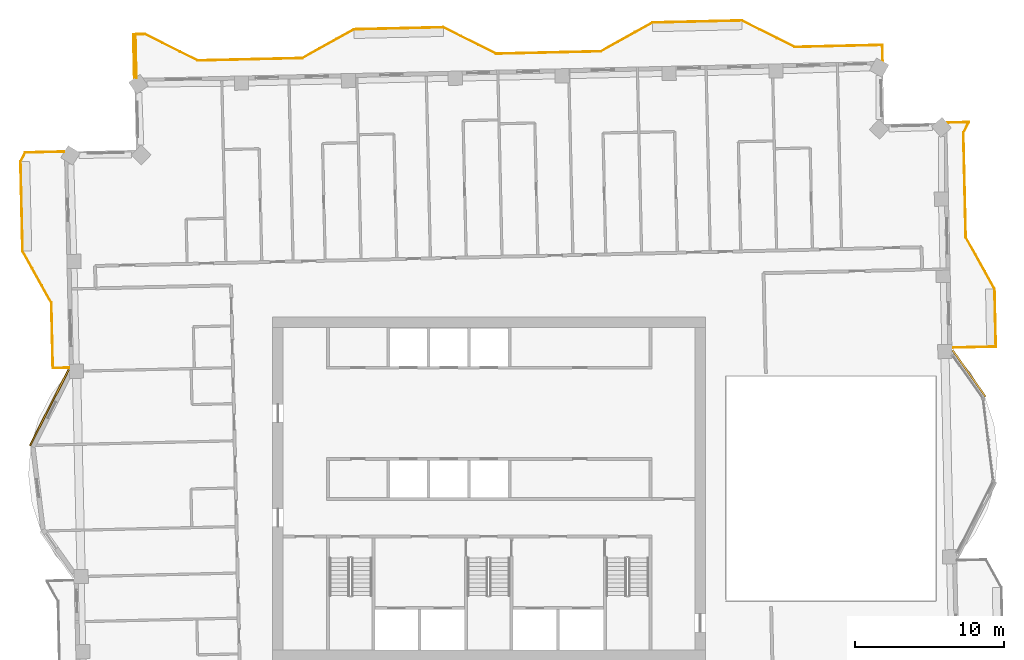
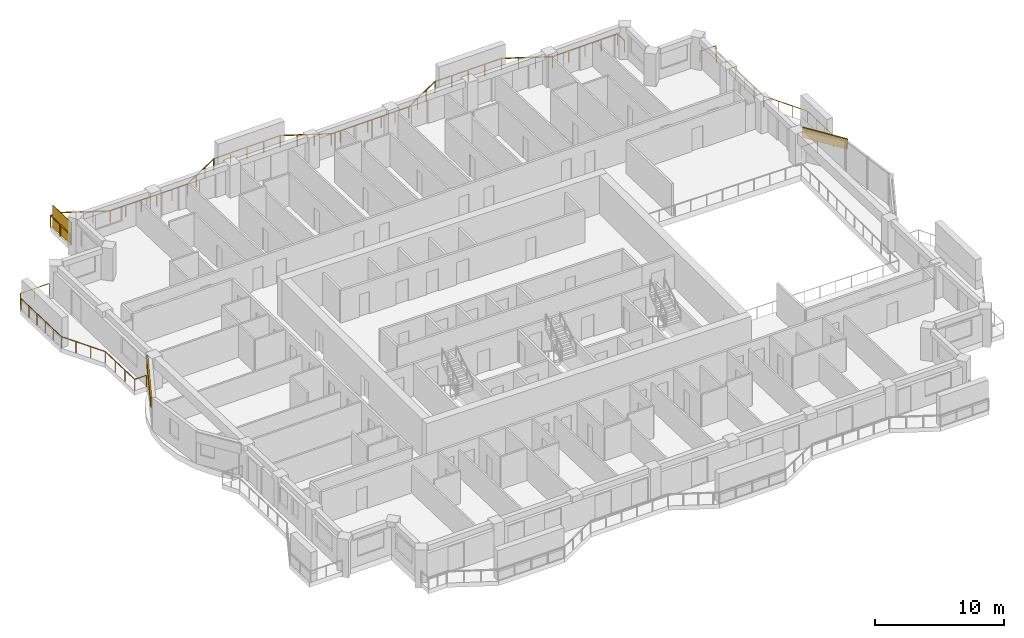
# One storey, part 18 of 18: 3 railings, 2 coverings, 1 shading device.
"""IFC4 building model written with IfcOpenShell, lengths in metres."""

from ifc_helpers import new_model, si_unit, direction, frame, frame_2d, origin, origin_2d, place, context, subcontext, project, spatial, rectangle, extrude, material, layer, layer_set, type_object, element, save


model = new_model("IFC4")

# Units and contexts
model_context = context("Model", 3, precision=1e-05, world=origin(), true_north=direction((0.0, 1.0)))
body_context = subcontext(model_context, "Body", "Model", "MODEL_VIEW")
ifc_project = project(units=[si_unit("LENGTHUNIT", "METRE"), si_unit("AREAUNIT", "SQUARE_METRE"), si_unit("VOLUMEUNIT", "CUBIC_METRE"), si_unit("PLANEANGLEUNIT", "RADIAN"), si_unit("MASSUNIT", "GRAM", prefix="KILO")], contexts=[model_context])

# Site, building, storey
site_placement = place(None, origin())
site = spatial("IfcSite", under=ifc_project, at=site_placement, CompositionType="ELEMENT")
building_placement = place(site_placement, origin())
building = spatial("IfcBuilding", under=site, at=building_placement, Name="Mangrove Gate Tower", CompositionType="ELEMENT")
storey_placement = place(building_placement, frame((0.0, 0.0, 287.10009765625)))
storey = spatial("IfcBuildingStorey", under=building, at=storey_placement, Name="L73", CompositionType="ELEMENT", Elevation=287.10009765625)

# Railings
ifc_material_1 = material(Name="Stainless steel grade 316 with laminated glass infill", Category="steel")
railing_type = type_object("IfcRailingType", Name="Balcony guard 1100", PredefinedType="GUARDRAIL", material=ifc_material_1)
railing_1_placement = place(storey_placement, frame((31.0390625, 9.445068359375, 0.0)))
element("IfcRailing", 1, at=railing_1_placement, inside=storey, type_object=railing_type, Name="GUARD L73 E2", PredefinedType="GUARDRAIL", context=body_context, shape_type="SweptSolid", body=[
    extrude(rectangle(XDim=0.048095703125, YDim=0.048095703125, at=origin_2d()), frame((0.0, 0.0, 1.076171875), z_axis=(0.999743349437, 0.022654696127, 0.0), x_axis=(-0.022654696127, 0.999743349437, 0.0)), (0.0, 0.0, 1.0), 2.90966796875),
    extrude(rectangle(XDim=0.048095703125, YDim=0.048095703125, at=origin_2d()), frame((2.908935546875, 0.06591796875, 1.076171875), z_axis=(-0.022681332769, 0.999742745482, 0.0), x_axis=(-0.999742745482, -0.022681332769, 0.0)), (0.0, 0.0, 1.0), 3.875),
    extrude(rectangle(XDim=0.048095703125, YDim=0.048095703125, at=origin_2d()), frame((2.821044921875, 3.93994140625, 1.076171875), z_axis=(-0.487307108654, 0.873230657876, 0.0), x_axis=(-0.873230657876, -0.487307108654, 0.0)), (0.0, 0.0, 1.0), 3.958984375),
    extrude(rectangle(XDim=0.048095703125, YDim=0.048095703125, at=origin_2d()), frame((0.891845703125, 7.39697265625, 1.076171875), z_axis=(-0.022705559911, 0.999742195543, 0.0), x_axis=(-0.999742195543, -0.022705559911, 0.0)), (0.0, 0.0, 1.0), 6.999755859375),
    extrude(rectangle(XDim=0.048095703125, YDim=0.048095703125, at=origin_2d()), frame((0.73291015625, 14.39501953125, 1.076171875), z_axis=(0.4472135955, 0.894427191, 0.0), x_axis=(-0.894427191, 0.4472135955, 0.0)), (0.0, 0.0, 1.0), 0.79150390625),
    extrude(rectangle(XDim=0.048095703125, YDim=0.048095703125, at=origin_2d()), frame((1.0869140625, 15.10302734375, 1.076171875), z_axis=(-0.999749624161, -0.022376080773, 0.0), x_axis=(0.022376080773, -0.999749624161, 0.0)), (0.0, 0.0, 1.0), 1.42919921875),
    extrude(rectangle(XDim=0.0419921875, YDim=0.0419921875, at=origin_2d()), origin(), (0.0, 0.0, 1.0), 1.052001953125),
    extrude(rectangle(XDim=0.0419921875, YDim=0.0419921875, at=origin_2d()), frame((1.45458984375, 0.032958984375, 0.0)), (0.0, 0.0, 1.0), 1.052001953125),
    extrude(rectangle(XDim=0.0419921875, YDim=0.0419921875, at=origin_2d()), frame((2.908935546875, 0.06591796875, 0.0)), (0.0, 0.0, 1.0), 1.052001953125),
    extrude(rectangle(XDim=0.0419921875, YDim=0.0419921875, at=origin_2d()), frame((2.879638671875, 1.357177734375, 0.0)), (0.0, 0.0, 1.0), 1.052001953125),
    extrude(rectangle(XDim=0.0419921875, YDim=0.0419921875, at=origin_2d()), frame((2.850341796875, 2.648681640625, 0.0)), (0.0, 0.0, 1.0), 1.052001953125),
    extrude(rectangle(XDim=0.0419921875, YDim=0.0419921875, at=origin_2d()), frame((2.821044921875, 3.93994140625, 0.0)), (0.0, 0.0, 1.0), 1.052001953125),
    extrude(rectangle(XDim=0.0419921875, YDim=0.0419921875, at=origin_2d()), frame((2.177978515625, 5.09228515625, 0.0)), (0.0, 0.0, 1.0), 1.052001953125),
    extrude(rectangle(XDim=0.0419921875, YDim=0.0419921875, at=origin_2d()), frame((1.534912109375, 6.24462890625, 0.0)), (0.0, 0.0, 1.0), 1.052001953125),
    extrude(rectangle(XDim=0.0419921875, YDim=0.0419921875, at=origin_2d()), frame((0.891845703125, 7.39697265625, 0.0)), (0.0, 0.0, 1.0), 1.052001953125),
    extrude(rectangle(XDim=0.0419921875, YDim=0.0419921875, at=origin_2d()), frame((0.860107421875, 8.796630859375, 0.0)), (0.0, 0.0, 1.0), 1.052001953125),
    extrude(rectangle(XDim=0.0419921875, YDim=0.0419921875, at=origin_2d()), frame((0.828369140625, 10.1962890625, 0.0)), (0.0, 0.0, 1.0), 1.052001953125),
    extrude(rectangle(XDim=0.0419921875, YDim=0.0419921875, at=origin_2d()), frame((0.79638671875, 11.595703125, 0.0)), (0.0, 0.0, 1.0), 1.052001953125),
    extrude(rectangle(XDim=0.0419921875, YDim=0.0419921875, at=origin_2d()), frame((0.7646484375, 12.995361328125, 0.0)), (0.0, 0.0, 1.0), 1.052001953125),
    extrude(rectangle(XDim=0.0419921875, YDim=0.0419921875, at=origin_2d()), frame((0.73291015625, 14.39501953125, 0.0)), (0.0, 0.0, 1.0), 1.052001953125),
    extrude(rectangle(XDim=0.0419921875, YDim=0.0419921875, at=origin_2d()), frame((1.0869140625, 15.10302734375, 0.0)), (0.0, 0.0, 1.0), 1.052001953125),
    extrude(rectangle(XDim=0.0419921875, YDim=0.0419921875, at=origin_2d()), frame((-0.342041015625, 15.071044921875, 0.0)), (0.0, 0.0, 1.0), 1.052001953125),
])
railing_2_placement = place(storey_placement, frame((26.362060546875, 28.658935546875, 0.0)))
element("IfcRailing", 2, at=railing_2_placement, inside=storey, type_object=railing_type, Name="GUARD L73 N1", PredefinedType="GUARDRAIL", context=body_context, shape_type="SweptSolid", body=[
    extrude(rectangle(XDim=0.048095703125, YDim=0.048095703125, at=origin_2d()), frame((0.0, 0.0, 1.076171875), z_axis=(-0.022815636067, 0.999739689495, 0.0), x_axis=(-0.999739689495, -0.022815636067, 0.0)), (0.0, 0.0, 1.0), 1.059326171875),
    extrude(rectangle(XDim=0.048095703125, YDim=0.048095703125, at=origin_2d()), frame((-0.024169921875, 1.05908203125, 1.076171875), z_axis=(-0.999742929744, -0.022673209467, 0.0), x_axis=(0.022673209467, -0.999742929744, 0.0)), (0.0, 0.0, 1.0), 5.868408203125),
    extrude(rectangle(XDim=0.048095703125, YDim=0.048095703125, at=origin_2d()), frame((-5.89111328125, 0.926025390625, 1.076171875), z_axis=(-0.894476522376, 0.447114919141, 0.0), x_axis=(-0.447114919141, -0.894476522376, 0.0)), (0.0, 0.0, 1.0), 3.958740234375),
    extrude(rectangle(XDim=0.048095703125, YDim=0.048095703125, at=origin_2d()), frame((-9.43212890625, 2.696044921875, 1.076171875), z_axis=(-0.999743094499, -0.022665943652, 0.0), x_axis=(0.022665943652, -0.999743094499, 0.0)), (0.0, 0.0, 1.0), 5.99951171875),
    extrude(rectangle(XDim=0.048095703125, YDim=0.048095703125, at=origin_2d()), frame((-15.43017578125, 2.56005859375, 1.076171875), z_axis=(-0.873242256246, -0.487286324359, 0.0), x_axis=(0.487286324359, -0.873242256246, 0.0)), (0.0, 0.0, 1.0), 3.95849609375),
    extrude(rectangle(XDim=0.048095703125, YDim=0.048095703125, at=origin_2d()), frame((-18.886962890625, 0.631103515625, 1.076171875), z_axis=(-0.999744592549, -0.022599771429, 0.0), x_axis=(0.022599771429, -0.999744592549, 0.0)), (0.0, 0.0, 1.0), 6.20068359375),
    extrude(rectangle(XDim=0.048095703125, YDim=0.048095703125, at=origin_2d()), frame((-25.086181640625, 0.490966796875, 1.076171875), z_axis=(-0.999751820308, -0.022277742028, 0.0), x_axis=(0.022277742028, -0.999751820308, 0.0)), (0.0, 0.0, 1.0), 0.800048828125),
    extrude(rectangle(XDim=0.048095703125, YDim=0.048095703125, at=origin_2d()), frame((-25.885986328125, 0.47314453125, 1.076171875), z_axis=(-0.894476522376, 0.447114919141, 0.0), x_axis=(-0.447114919141, -0.894476522376, 0.0)), (0.0, 0.0, 1.0), 3.958740234375),
    extrude(rectangle(XDim=0.048095703125, YDim=0.048095703125, at=origin_2d()), frame((-29.427001953125, 2.2431640625, 1.076171875), z_axis=(-0.999743094499, -0.022665943652, 0.0), x_axis=(0.022665943652, -0.999743094499, 0.0)), (0.0, 0.0, 1.0), 5.99951171875),
    extrude(rectangle(XDim=0.048095703125, YDim=0.048095703125, at=origin_2d()), frame((-35.425048828125, 2.107177734375, 1.076171875), z_axis=(-0.873230657876, -0.487307108654, 0.0), x_axis=(0.487307108654, -0.873230657876, 0.0)), (0.0, 0.0, 1.0), 3.958984375),
    extrude(rectangle(XDim=0.048095703125, YDim=0.048095703125, at=origin_2d()), frame((-38.882080078125, 0.177978515625, 1.076171875), z_axis=(-0.999742267452, -0.022702393474, 0.0), x_axis=(0.022702393474, -0.999742267452, 0.0)), (0.0, 0.0, 1.0), 7.000732421875),
    extrude(rectangle(XDim=0.048095703125, YDim=0.048095703125, at=origin_2d()), frame((-45.881103515625, 0.01904296875, 1.076171875), z_axis=(-0.894476522376, 0.447114919141, 0.0), x_axis=(-0.447114919141, -0.894476522376, 0.0)), (0.0, 0.0, 1.0), 3.958740234375),
    extrude(rectangle(XDim=0.048095703125, YDim=0.048095703125, at=origin_2d()), frame((-49.422119140625, 1.7890625, 1.076171875), z_axis=(-0.999751761879, -0.022280364002, 0.0), x_axis=(0.022280364002, -0.999751761879, 0.0)), (0.0, 0.0, 1.0), 0.76708984375),
    extrude(rectangle(XDim=0.048095703125, YDim=0.048095703125, at=origin_2d()), frame((-50.18896484375, 1.77197265625, 1.076171875), z_axis=(0.02231175287, -0.999751061857, 0.0), x_axis=(0.999751061857, 0.02231175287, 0.0)), (0.0, 0.0, 1.0), 2.91064453125),
    extrude(rectangle(XDim=0.0419921875, YDim=0.0419921875, at=origin_2d()), origin(), (0.0, 0.0, 1.0), 1.052001953125),
    extrude(rectangle(XDim=0.0419921875, YDim=0.0419921875, at=origin_2d()), frame((-0.024169921875, 1.05908203125, 0.0)), (0.0, 0.0, 1.0), 1.052001953125),
    extrude(rectangle(XDim=0.0419921875, YDim=0.0419921875, at=origin_2d()), frame((-1.490966796875, 1.02587890625, 0.0)), (0.0, 0.0, 1.0), 1.052001953125),
    extrude(rectangle(XDim=0.0419921875, YDim=0.0419921875, at=origin_2d()), frame((-2.95751953125, 0.99267578125, 0.0)), (0.0, 0.0, 1.0), 1.052001953125),
    extrude(rectangle(XDim=0.0419921875, YDim=0.0419921875, at=origin_2d()), frame((-4.42431640625, 0.959228515625, 0.0)), (0.0, 0.0, 1.0), 1.052001953125),
    extrude(rectangle(XDim=0.0419921875, YDim=0.0419921875, at=origin_2d()), frame((-5.89111328125, 0.926025390625, 0.0)), (0.0, 0.0, 1.0), 1.052001953125),
    extrude(rectangle(XDim=0.0419921875, YDim=0.0419921875, at=origin_2d()), frame((-7.071533203125, 1.51611328125, 0.0)), (0.0, 0.0, 1.0), 1.052001953125),
    extrude(rectangle(XDim=0.0419921875, YDim=0.0419921875, at=origin_2d()), frame((-8.251708984375, 2.10595703125, 0.0)), (0.0, 0.0, 1.0), 1.052001953125),
    extrude(rectangle(XDim=0.0419921875, YDim=0.0419921875, at=origin_2d()), frame((-9.43212890625, 2.696044921875, 0.0)), (0.0, 0.0, 1.0), 1.052001953125),
    extrude(rectangle(XDim=0.0419921875, YDim=0.0419921875, at=origin_2d()), frame((-10.931640625, 2.662109375, 0.0)), (0.0, 0.0, 1.0), 1.052001953125),
    extrude(rectangle(XDim=0.0419921875, YDim=0.0419921875, at=origin_2d()), frame((-12.43115234375, 2.6279296875, 0.0)), (0.0, 0.0, 1.0), 1.052001953125),
    extrude(rectangle(XDim=0.0419921875, YDim=0.0419921875, at=origin_2d()), frame((-13.9306640625, 2.593994140625, 0.0)), (0.0, 0.0, 1.0), 1.052001953125),
    extrude(rectangle(XDim=0.0419921875, YDim=0.0419921875, at=origin_2d()), frame((-15.43017578125, 2.56005859375, 0.0)), (0.0, 0.0, 1.0), 1.052001953125),
    extrude(rectangle(XDim=0.0419921875, YDim=0.0419921875, at=origin_2d()), frame((-16.58251953125, 1.9169921875, 0.0)), (0.0, 0.0, 1.0), 1.052001953125),
    extrude(rectangle(XDim=0.0419921875, YDim=0.0419921875, at=origin_2d()), frame((-17.734619140625, 1.274169921875, 0.0)), (0.0, 0.0, 1.0), 1.052001953125),
    extrude(rectangle(XDim=0.0419921875, YDim=0.0419921875, at=origin_2d()), frame((-18.886962890625, 0.631103515625, 0.0)), (0.0, 0.0, 1.0), 1.052001953125),
    extrude(rectangle(XDim=0.0419921875, YDim=0.0419921875, at=origin_2d()), frame((-20.126708984375, 0.60302734375, 0.0)), (0.0, 0.0, 1.0), 1.052001953125),
    extrude(rectangle(XDim=0.0419921875, YDim=0.0419921875, at=origin_2d()), frame((-21.36669921875, 0.574951171875, 0.0)), (0.0, 0.0, 1.0), 1.052001953125),
    extrude(rectangle(XDim=0.0419921875, YDim=0.0419921875, at=origin_2d()), frame((-22.6064453125, 0.547119140625, 0.0)), (0.0, 0.0, 1.0), 1.052001953125),
    extrude(rectangle(XDim=0.0419921875, YDim=0.0419921875, at=origin_2d()), frame((-23.846435546875, 0.51904296875, 0.0)), (0.0, 0.0, 1.0), 1.052001953125),
    extrude(rectangle(XDim=0.0419921875, YDim=0.0419921875, at=origin_2d()), frame((-25.086181640625, 0.490966796875, 0.0)), (0.0, 0.0, 1.0), 1.052001953125),
    extrude(rectangle(XDim=0.0419921875, YDim=0.0419921875, at=origin_2d()), frame((-25.885986328125, 0.47314453125, 0.0)), (0.0, 0.0, 1.0), 1.052001953125),
    extrude(rectangle(XDim=0.0419921875, YDim=0.0419921875, at=origin_2d()), frame((-27.06640625, 1.063232421875, 0.0)), (0.0, 0.0, 1.0), 1.052001953125),
    extrude(rectangle(XDim=0.0419921875, YDim=0.0419921875, at=origin_2d()), frame((-28.24658203125, 1.653076171875, 0.0)), (0.0, 0.0, 1.0), 1.052001953125),
    extrude(rectangle(XDim=0.0419921875, YDim=0.0419921875, at=origin_2d()), frame((-29.427001953125, 2.2431640625, 0.0)), (0.0, 0.0, 1.0), 1.052001953125),
    extrude(rectangle(XDim=0.0419921875, YDim=0.0419921875, at=origin_2d()), frame((-30.926513671875, 2.209228515625, 0.0)), (0.0, 0.0, 1.0), 1.052001953125),
    extrude(rectangle(XDim=0.0419921875, YDim=0.0419921875, at=origin_2d()), frame((-32.426025390625, 2.17529296875, 0.0)), (0.0, 0.0, 1.0), 1.052001953125),
    extrude(rectangle(XDim=0.0419921875, YDim=0.0419921875, at=origin_2d()), frame((-33.925537109375, 2.14111328125, 0.0)), (0.0, 0.0, 1.0), 1.052001953125),
    extrude(rectangle(XDim=0.0419921875, YDim=0.0419921875, at=origin_2d()), frame((-35.425048828125, 2.107177734375, 0.0)), (0.0, 0.0, 1.0), 1.052001953125),
    extrude(rectangle(XDim=0.0419921875, YDim=0.0419921875, at=origin_2d()), frame((-36.577392578125, 1.464111328125, 0.0)), (0.0, 0.0, 1.0), 1.052001953125),
    extrude(rectangle(XDim=0.0419921875, YDim=0.0419921875, at=origin_2d()), frame((-37.729736328125, 0.821044921875, 0.0)), (0.0, 0.0, 1.0), 1.052001953125),
    extrude(rectangle(XDim=0.0419921875, YDim=0.0419921875, at=origin_2d()), frame((-38.882080078125, 0.177978515625, 0.0)), (0.0, 0.0, 1.0), 1.052001953125),
    extrude(rectangle(XDim=0.0419921875, YDim=0.0419921875, at=origin_2d()), frame((-40.281982421875, 0.146240234375, 0.0)), (0.0, 0.0, 1.0), 1.052001953125),
    extrude(rectangle(XDim=0.0419921875, YDim=0.0419921875, at=origin_2d()), frame((-41.681640625, 0.114501953125, 0.0)), (0.0, 0.0, 1.0), 1.052001953125),
    extrude(rectangle(XDim=0.0419921875, YDim=0.0419921875, at=origin_2d()), frame((-43.08154296875, 0.08251953125, 0.0)), (0.0, 0.0, 1.0), 1.052001953125),
    extrude(rectangle(XDim=0.0419921875, YDim=0.0419921875, at=origin_2d()), frame((-44.481201171875, 0.05078125, 0.0)), (0.0, 0.0, 1.0), 1.052001953125),
    extrude(rectangle(XDim=0.0419921875, YDim=0.0419921875, at=origin_2d()), frame((-45.881103515625, 0.01904296875, 0.0)), (0.0, 0.0, 1.0), 1.052001953125),
    extrude(rectangle(XDim=0.0419921875, YDim=0.0419921875, at=origin_2d()), frame((-47.0615234375, 0.609130859375, 0.0)), (0.0, 0.0, 1.0), 1.052001953125),
    extrude(rectangle(XDim=0.0419921875, YDim=0.0419921875, at=origin_2d()), frame((-48.24169921875, 1.198974609375, 0.0)), (0.0, 0.0, 1.0), 1.052001953125),
    extrude(rectangle(XDim=0.0419921875, YDim=0.0419921875, at=origin_2d()), frame((-49.422119140625, 1.7890625, 0.0)), (0.0, 0.0, 1.0), 1.052001953125),
    extrude(rectangle(XDim=0.0419921875, YDim=0.0419921875, at=origin_2d()), frame((-50.18896484375, 1.77197265625, 0.0)), (0.0, 0.0, 1.0), 1.052001953125),
    extrude(rectangle(XDim=0.0419921875, YDim=0.0419921875, at=origin_2d()), frame((-50.156494140625, 0.31689453125, 0.0)), (0.0, 0.0, 1.0), 1.052001953125),
    extrude(rectangle(XDim=0.0419921875, YDim=0.0419921875, at=origin_2d()), frame((-50.1240234375, -1.137939453125, 0.0)), (0.0, 0.0, 1.0), 1.052001953125),
])
railing_3_placement = place(storey_placement, frame((-28.489990234375, 22.572998046875, 0.0)))
element("IfcRailing", 3, at=railing_3_placement, inside=storey, type_object=railing_type, Name="GUARD L73 W1", PredefinedType="GUARDRAIL", context=body_context, shape_type="SweptSolid", body=[
    extrude(rectangle(XDim=0.048095703125, YDim=0.048095703125, at=origin_2d()), frame((0.0, 0.0, 1.076171875), z_axis=(-0.999740521811, -0.022779136266, 0.0), x_axis=(0.022779136266, -0.999740521811, 0.0)), (0.0, 0.0, 1.0), 2.59375),
    extrude(rectangle(XDim=0.048095703125, YDim=0.048095703125, at=origin_2d()), frame((-2.593017578125, -0.05908203125, 1.076171875), z_axis=(-0.446637660547, -0.894714926768, 0.0), x_axis=(0.894714926768, -0.446637660547, 0.0)), (0.0, 0.0, 1.0), 0.678466796875),
    extrude(rectangle(XDim=0.048095703125, YDim=0.048095703125, at=origin_2d()), frame((-2.89599609375, -0.666015625, 1.076171875), z_axis=(0.022662255828, -0.999743178102, 0.0), x_axis=(0.999743178102, 0.022662255828, 0.0)), (0.0, 0.0, 1.0), 6.00048828125),
    extrude(rectangle(XDim=0.048095703125, YDim=0.048095703125, at=origin_2d()), frame((-2.760009765625, -6.6650390625, 1.076171875), z_axis=(0.48726008209, -0.87325689943, 0.0), x_axis=(0.87325689943, 0.48726008209, 0.0)), (0.0, 0.0, 1.0), 3.958740234375),
    extrude(rectangle(XDim=0.048095703125, YDim=0.048095703125, at=origin_2d()), frame((-0.8310546875, -10.1220703125, 1.076171875), z_axis=(0.022660548572, -0.9997432168, 0.0), x_axis=(0.9997432168, 0.022660548572, 0.0)), (0.0, 0.0, 1.0), 4.374267578125),
    extrude(rectangle(XDim=0.048095703125, YDim=0.048095703125, at=origin_2d()), frame((-0.73193359375, -14.4951171875, 1.076171875), z_axis=(0.999740049023, 0.022799876723, 0.0), x_axis=(-0.022799876723, 0.999740049023, 0.0)), (0.0, 0.0, 1.0), 1.06005859375),
    extrude(rectangle(XDim=0.0419921875, YDim=0.0419921875, at=origin_2d()), origin(), (0.0, 0.0, 1.0), 1.052001953125),
    extrude(rectangle(XDim=0.0419921875, YDim=0.0419921875, at=origin_2d()), frame((-1.29638671875, -0.029541015625, 0.0)), (0.0, 0.0, 1.0), 1.052001953125),
    extrude(rectangle(XDim=0.0419921875, YDim=0.0419921875, at=origin_2d()), frame((-2.593017578125, -0.05908203125, 0.0)), (0.0, 0.0, 1.0), 1.052001953125),
    extrude(rectangle(XDim=0.0419921875, YDim=0.0419921875, at=origin_2d()), frame((-2.89599609375, -0.666015625, 0.0)), (0.0, 0.0, 1.0), 1.052001953125),
    extrude(rectangle(XDim=0.0419921875, YDim=0.0419921875, at=origin_2d()), frame((-2.868896484375, -1.86572265625, 0.0)), (0.0, 0.0, 1.0), 1.052001953125),
    extrude(rectangle(XDim=0.0419921875, YDim=0.0419921875, at=origin_2d()), frame((-2.841552734375, -3.065673828125, 0.0)), (0.0, 0.0, 1.0), 1.052001953125),
    extrude(rectangle(XDim=0.0419921875, YDim=0.0419921875, at=origin_2d()), frame((-2.814453125, -4.265380859375, 0.0)), (0.0, 0.0, 1.0), 1.052001953125),
    extrude(rectangle(XDim=0.0419921875, YDim=0.0419921875, at=origin_2d()), frame((-2.787109375, -5.46533203125, 0.0)), (0.0, 0.0, 1.0), 1.052001953125),
    extrude(rectangle(XDim=0.0419921875, YDim=0.0419921875, at=origin_2d()), frame((-2.760009765625, -6.6650390625, 0.0)), (0.0, 0.0, 1.0), 1.052001953125),
    extrude(rectangle(XDim=0.0419921875, YDim=0.0419921875, at=origin_2d()), frame((-2.116943359375, -7.8173828125, 0.0)), (0.0, 0.0, 1.0), 1.052001953125),
    extrude(rectangle(XDim=0.0419921875, YDim=0.0419921875, at=origin_2d()), frame((-1.47412109375, -8.9697265625, 0.0)), (0.0, 0.0, 1.0), 1.052001953125),
    extrude(rectangle(XDim=0.0419921875, YDim=0.0419921875, at=origin_2d()), frame((-0.8310546875, -10.1220703125, 0.0)), (0.0, 0.0, 1.0), 1.052001953125),
    extrude(rectangle(XDim=0.0419921875, YDim=0.0419921875, at=origin_2d()), frame((-0.798095703125, -11.579833984375, 0.0)), (0.0, 0.0, 1.0), 1.052001953125),
    extrude(rectangle(XDim=0.0419921875, YDim=0.0419921875, at=origin_2d()), frame((-0.764892578125, -13.037353515625, 0.0)), (0.0, 0.0, 1.0), 1.052001953125),
    extrude(rectangle(XDim=0.0419921875, YDim=0.0419921875, at=origin_2d()), frame((-0.73193359375, -14.4951171875, 0.0)), (0.0, 0.0, 1.0), 1.052001953125),
    extrude(rectangle(XDim=0.0419921875, YDim=0.0419921875, at=origin_2d()), frame((0.327880859375, -14.470947265625, 0.0)), (0.0, 0.0, 1.0), 1.052001953125),
])

# Shading device
ifc_material_2 = material(Name="Timber slat screen in teak", Category="wood")
shading_device_type = type_object("IfcShadingDeviceType", Name="Balcony screen 2100", PredefinedType="USERDEFINED", material=ifc_material_2)
shading_device_placement = place(storey_placement, frame((-23.653076171875, 28.89892578125, -0.000244140625), z_axis=(0.0, 0.0, 1.0), x_axis=(-0.022408151889, 0.99974890584, 0.0)))
element("IfcShadingDevice", 4, at=shading_device_placement, inside=storey, type_object=shading_device_type, Name="SCREEN L73 N1", ObjectType="SCREEN", PredefinedType="USERDEFINED", context=body_context, shape_type="SweptSolid", body=[
    extrude(rectangle(XDim=2.791015625, YDim=0.050048828125, at=origin_2d()), origin(), (0.0, 0.0, 1.0), 2.10009765625),
])

# Coverings
ifc_material_3 = material(Name="Limestone", Category="masonry")
ifc_layer_1 = layer(ifc_material_3, 0.0400390625, Name="Limestone cladding")
ifc_material_4 = material(Name="Stainless steel anchors and cavity", Category="steel")
ifc_layer_2 = layer(ifc_material_4, 0.080078125, Name="Fixing cavity")
ifc_layer_set = layer_set([ifc_layer_1, ifc_layer_2], Name="Joint fascia cladding 120")
covering_type = type_object("IfcCoveringType", Name="Joint fascia cladding 120", PredefinedType="CLADDING", material=ifc_layer_set)
covering_1_placement = place(storey_placement, frame((33.25390625, 6.158935546875, 2.099853515625), z_axis=(0.0, 0.0, 1.0), x_axis=(-0.578168098379, 0.815917673553, 0.0)))
element("IfcCovering", 5, at=covering_1_placement, inside=storey, type_object=covering_type, Name="STONE FASCIA L73 E1.L2", PredefinedType="CLADDING", context=body_context, shape_type="SweptSolid", body=[
    extrude(rectangle(XDim=3.819091796875, YDim=0.1201171875, at=frame_2d((1.90966796875, 0.0))), origin(), (0.0, 0.0, 1.0), 0.949951171875),
])
covering_2_placement = place(storey_placement, frame((-28.169677734375, 7.974609375, 2.099853515625), z_axis=(0.0, 0.0, 1.0), x_axis=(-0.452599154857, -0.891714082553, 0.0)))
element("IfcCovering", 6, at=covering_2_placement, inside=storey, type_object=covering_type, Name="STONE FASCIA L73 W9.L1", PredefinedType="CLADDING", context=body_context, shape_type="SweptSolid", body=[
    extrude(rectangle(XDim=5.703369140625, YDim=0.1201171875, at=frame_2d((2.8515625, 0.0))), origin(), (0.0, 0.0, 1.0), 0.949951171875),
])

save(model, "model.ifc")
